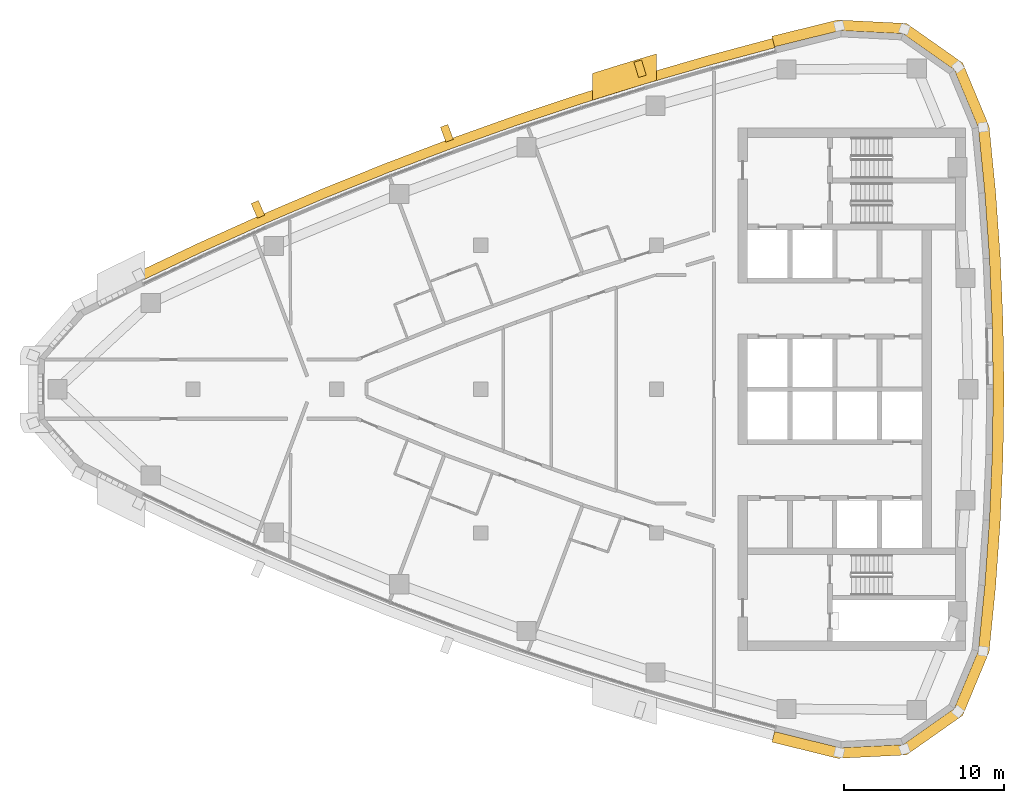
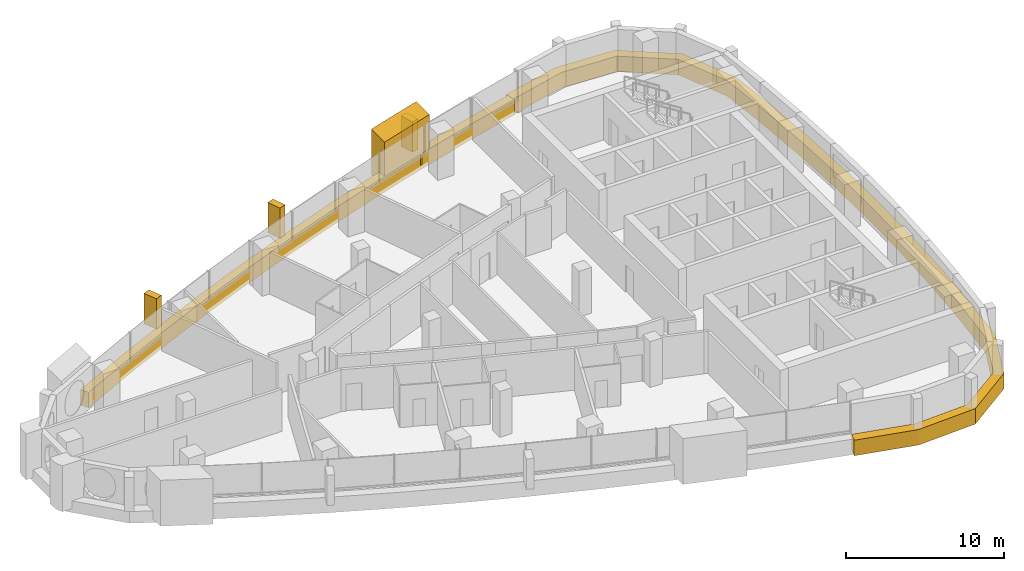
# One storey, part 14 of 15: 6 coverings.
"""IFC4 building model written with IfcOpenShell, lengths in metres."""

from ifc_helpers import new_model, si_unit, direction, frame, frame_2d, origin, place, context, subcontext, project, spatial, polyline, rectangle, outline, extrude, material, layer, layer_set, type_object, element, save


model = new_model("IFC4")

# Units and contexts
model_context = context("Model", 3, precision=1e-05, world=origin(), true_north=direction((0.0, 1.0)))
body_context = subcontext(model_context, "Body", "Model", "MODEL_VIEW")
ifc_project = project(units=[si_unit("LENGTHUNIT", "METRE"), si_unit("AREAUNIT", "SQUARE_METRE"), si_unit("VOLUMEUNIT", "CUBIC_METRE"), si_unit("PLANEANGLEUNIT", "RADIAN"), si_unit("MASSUNIT", "GRAM", prefix="KILO")], contexts=[model_context])

# Site, building, storey
site_placement = place(None, origin())
site = spatial("IfcSite", under=ifc_project, at=site_placement, CompositionType="ELEMENT")
building_placement = place(site_placement, origin())
building = spatial("IfcBuilding", under=site, at=building_placement, Name="Ostrand Prow Hotel Tower", CompositionType="ELEMENT")
storey_placement = place(building_placement, frame((0.0, 0.0, 238.550048828125)))
storey = spatial("IfcBuildingStorey", under=building, at=storey_placement, Name="L60", CompositionType="ELEMENT", Elevation=238.550048828125)

# Coverings
ifc_material_1 = material(Name="Bronze anodised aluminium cladding", Category="aluminium")
ifc_layer_1 = layer(ifc_material_1, 0.60009765625)
ifc_layer_set_1 = layer_set([ifc_layer_1], Name="Bronze anodised aluminium cladding")
covering_type_1 = type_object("IfcCoveringType", Name="Bronze spandrel band 1200x600", PredefinedType="CLADDING", material=ifc_layer_set_1)
covering_1_placement = place(storey_placement, frame((0.0, 0.0, -0.300048828125)))
element("IfcCovering", 1, at=covering_1_placement, inside=storey, type_object=covering_type_1, Name="Spandrel band N1", PredefinedType="CLADDING", context=body_context, shape_type="SweptSolid", body=[
    extrude(outline(polyline([(52.256591796875, 21.944580078125), (48.16064453125, 20.846435546875), (44.087890625, 19.665771484375), (40.039306640625, 18.403564453125), (36.017333984375, 17.059814453125), (32.02294921875, 15.635498046875), (28.058349609375, 14.131103515625), (24.12451171875, 12.547119140625), (20.2236328125, 10.88427734375), (16.35693359375, 9.14306640625), (12.526123046875, 7.324462890625), (12.788818359375, 6.784912109375), (16.60888671875, 8.598388671875), (20.464599609375, 10.334716796875), (24.354248046875, 11.992919921875), (28.27685546875, 13.572265625), (32.230224609375, 15.072509765625), (36.213134765625, 16.49267578125), (40.223876953125, 17.83251953125), (44.260498046875, 19.09130859375), (48.322021484375, 20.268310546875), (52.40625, 21.363525390625), (52.256591796875, 21.944580078125)])), origin(), (0.0, 0.0, 1.0), 1.199951171875),
])
covering_2_placement = place(storey_placement, frame((0.0, 0.0, -0.300048828125)))
element("IfcCovering", 2, at=covering_2_placement, inside=storey, type_object=covering_type_1, Name="Spandrel band back 1", PredefinedType="CLADDING", context=body_context, shape_type="SweptSolid", body=[
    extrude(outline(polyline([(52.22119140625, -22.081787109375), (56.34130859375, -23.09814453125), (60.638671875, -22.8837890625), (64.15771484375, -20.408447265625), (65.81201171875, -16.4365234375), (66.218505859375, -12.3388671875), (66.509033203125, -8.2314453125), (66.68359375, -4.117431640625), (66.74169921875, 0.0), (66.68359375, 4.117431640625), (66.509033203125, 8.2314453125), (66.218505859375, 12.3388671875), (65.81201171875, 16.4365234375), (64.15771484375, 20.408447265625), (60.638671875, 22.8837890625), (56.34130859375, 23.09814453125), (52.22119140625, 22.081787109375), (52.390869140625, 21.42333984375), (56.49755859375, 22.436279296875), (60.417236328125, 22.240966796875), (63.62744140625, 19.98291015625), (65.13623046875, 16.35986328125), (65.541015625, 12.281494140625), (65.830078125, 8.193115234375), (66.00390625, 4.09814453125), (66.061767578125, 0.0), (66.00390625, -4.09814453125), (65.830078125, -8.193115234375), (65.541015625, -12.281494140625), (65.13623046875, -16.35986328125), (63.62744140625, -19.98291015625), (60.417236328125, -22.240966796875), (56.49755859375, -22.436279296875), (52.390869140625, -21.42333984375), (52.22119140625, -22.081787109375)])), origin(), (0.0, 0.0, 1.0), 1.199951171875),
])
ifc_material_2 = material(Name="Limestone cladding", Category="masonry")
ifc_layer_2 = layer(ifc_material_2, 5.0)
ifc_layer_set_2 = layer_set([ifc_layer_2], Name="Limestone cladding")
covering_type_2 = type_object("IfcCoveringType", Name="Portal jamb pilaster limestone", PredefinedType="CLADDING", material=ifc_layer_set_2)
covering_3_placement = place(storey_placement, origin())
element("IfcCovering", 3, at=covering_3_placement, inside=storey, type_object=covering_type_2, Name="Portal jamb NB L60", PredefinedType="CLADDING", context=body_context, shape_type="SweptSolid", body=[
    extrude(outline(polyline([(41.0, 18.08154296875), (42.0, 18.3974609375), (43.0, 18.707763671875), (44.0, 19.0126953125), (45.0, 19.312255859375), (45.0, 20.980712890625), (44.0, 20.68359375), (43.0, 20.381103515625), (42.0, 20.0732421875), (41.0, 19.760009765625), (41.0, 18.08154296875)])), origin(), (0.0, 0.0, 1.0), 3.550048828125),
])
ifc_material_3 = material(Name="Limestone cladding", Category="masonry")
ifc_layer_3 = layer(ifc_material_3, 0.5)
ifc_layer_set_3 = layer_set([ifc_layer_3], Name="Limestone cladding")
covering_type_3 = type_object("IfcCoveringType", Name="Precast stone fin 500x900", PredefinedType="CLADDING", material=ifc_layer_set_3)
for number, where, z_axis, x_axis, name in (
    (4, (44.11669921875, 19.570068359375, 0.89990234375), (0.0, 0.0, 1.0), (-0.288109396306, 0.95759750196, 0.0), "Stone fin N 3"),
    (5, (32.0576171875, 15.541748046875, 0.89990234375), (0.0, 0.0, 1.0), (-0.345445137787, 0.938438946751, 0.0), "Stone fin N 6"),
):
    element("IfcCovering", number, at=place(storey_placement, frame(where, z_axis=z_axis, x_axis=x_axis)), inside=storey, type_object=covering_type_3, Name=name, PredefinedType="CLADDING", context=body_context, shape_type="SweptSolid", body=[
        extrude(rectangle(XDim=1.0, YDim=0.5, at=frame_2d((0.5, 0.0))), origin(), (0.0, 0.0, 1.0), 2.35009765625),
    ])
covering_4_placement = place(storey_placement, frame((20.263916015625, 10.79248046875, 0.89990234375), z_axis=(0.0, 0.0, 1.0), x_axis=(-0.401535789459, 0.915843332554, 0.0)))
element("IfcCovering", 6, at=covering_4_placement, inside=storey, type_object=covering_type_3, Name="Stone fin N 9", PredefinedType="CLADDING", context=body_context, shape_type="SweptSolid", body=[
    extrude(rectangle(XDim=1.000244140625, YDim=0.5, at=frame_2d((0.5, 0.0))), origin(), (0.0, 0.0, 1.0), 2.35009765625),
])

save(model, "model.ifc")
